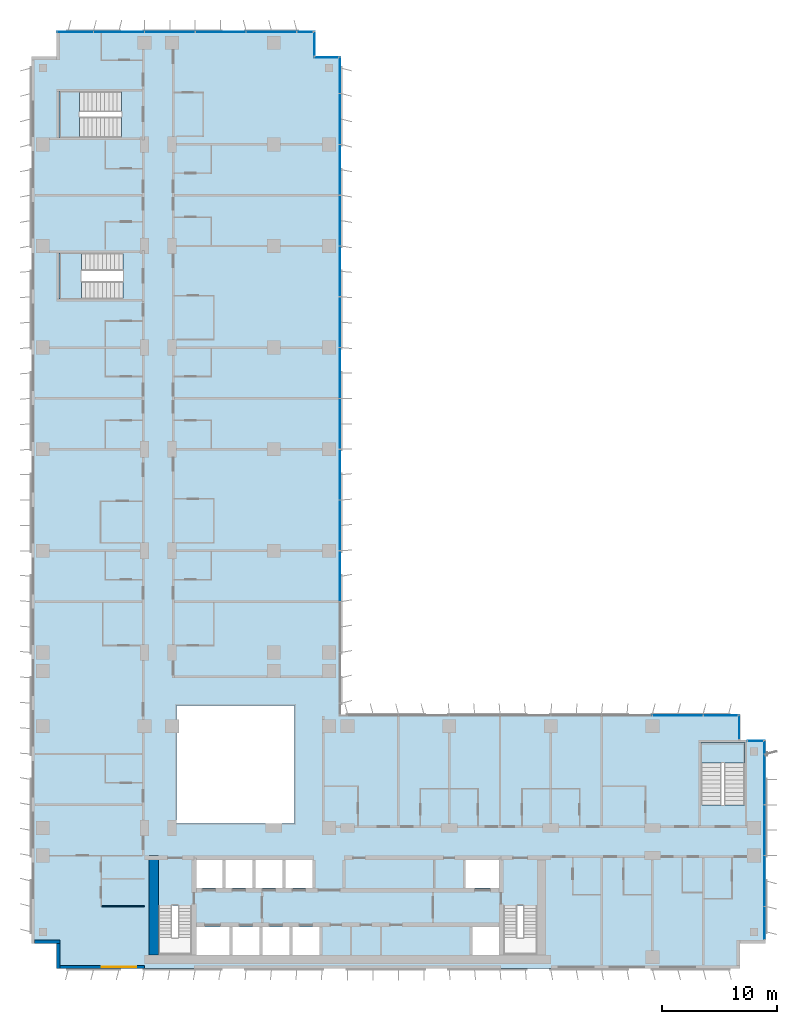
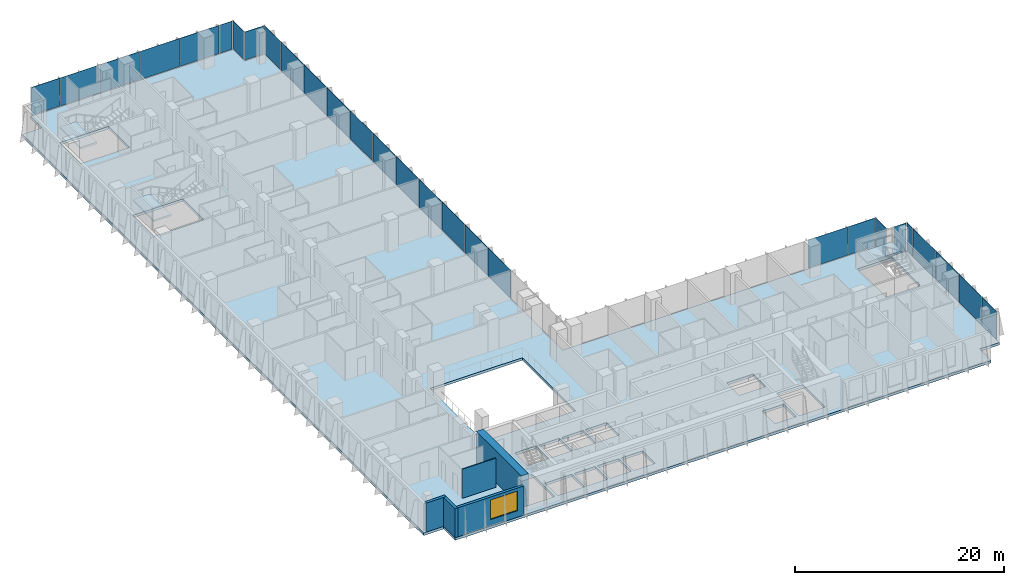
# One storey, part 11 of 23: 28 plates, 5 walls, 4 slabs, 1 window, 1 opening, 11 elements without a shape of their own.
"""IFC4 building model written with IfcOpenShell, lengths in metres."""

from ifc_helpers import new_model, si_unit, direction, frame, frame_2d, origin, origin_2d, place, context, subcontext, project, spatial, polyline, rectangle, outline, extrude, source, transform, mapped, material, layer, layer_set, type_object, element, fill, aggregate, save


model = new_model("IFC4")

# Units and contexts
model_context = context("Model", 3, precision=1e-05, world=origin(), true_north=direction((0.0, 1.0)))
body_context = subcontext(model_context, "Body", "Model", "MODEL_VIEW")
ifc_project = project(units=[si_unit("LENGTHUNIT", "METRE"), si_unit("AREAUNIT", "SQUARE_METRE"), si_unit("VOLUMEUNIT", "CUBIC_METRE"), si_unit("PLANEANGLEUNIT", "RADIAN"), si_unit("MASSUNIT", "GRAM", prefix="KILO")], contexts=[model_context])

# Site, building, storey
site_placement = place(None, origin())
site = spatial("IfcSite", under=ifc_project, at=site_placement, CompositionType="ELEMENT")
building_placement = place(site_placement, origin())
building = spatial("IfcBuilding", under=site, at=building_placement, Name="Kemantara Hotel Tower", CompositionType="ELEMENT")
storey_placement = place(building_placement, frame((0.0, 0.0, 114.800048828125)))
storey = spatial("IfcBuildingStorey", under=building, at=storey_placement, Name="L27", CompositionType="ELEMENT", Elevation=114.800048828125)

# Slab
ifc_material_1 = material(Name="Concrete fc 40 MPa", Category="concrete")
ifc_layer_1 = layer(ifc_material_1, 0.300048828125)
ifc_layer_set_1 = layer_set([ifc_layer_1], Name="Concrete fc 40 MPa")
slab_type_1 = type_object("IfcSlabType", Name="POST-TENSIONED FLAT PLATE 300", PredefinedType="FLOOR", material=ifc_layer_set_1)
slab_1_placement = place(storey_placement, frame((0.0, 0.0, -0.300048828125)))
element("IfcSlab", 1, at=slab_1_placement, inside=storey, type_object=slab_type_1, Name="FLOOR SLAB L27", PredefinedType="FLOOR", context=body_context, shape_type="SweptSolid", body=[
    extrude(outline(polyline([(26.800048828125, 79.0), (24.60009765625, 79.0), (24.60009765625, 81.199951171875), (2.199951171875, 81.199951171875), (2.199951171875, 79.0), (0.0, 79.0), (0.0, 2.199951171875), (2.199951171875, 2.199951171875), (2.199951171875, 0.0), (61.39990234375, 0.0), (61.39990234375, 2.199951171875), (63.60009765625, 2.199951171875), (63.60009765625, 19.800048828125), (61.39990234375, 19.800048828125), (61.39990234375, 22.0), (26.800048828125, 22.0), (26.800048828125, 79.0)]), holes=[polyline([(17.175048828125, 1.199951171875), (14.22509765625, 1.199951171875), (14.22509765625, 3.60009765625), (17.175048828125, 3.60009765625), (17.175048828125, 1.199951171875)]), polyline([(19.77490234375, 1.199951171875), (17.425048828125, 1.199951171875), (17.425048828125, 3.60009765625), (19.77490234375, 3.60009765625), (19.77490234375, 1.199951171875)]), polyline([(11.0, 1.199951171875), (11.0, 5.49951171875), (13.89990234375, 5.49951171875), (13.89990234375, 1.199951171875), (11.0, 1.199951171875)]), polyline([(16.574951171875, 7.0), (14.22509765625, 7.0), (14.22509765625, 9.39990234375), (16.574951171875, 9.39990234375), (16.574951171875, 7.0)]), polyline([(19.175048828125, 7.0), (16.824951171875, 7.0), (16.824951171875, 9.39990234375), (19.175048828125, 9.39990234375), (19.175048828125, 7.0)]), polyline([(22.800048828125, 12.60009765625), (12.60009765625, 12.60009765625), (12.60009765625, 22.800048828125), (22.800048828125, 22.800048828125), (22.800048828125, 12.60009765625)]), polyline([(2.39990234375, 62.0), (7.949462890625, 62.0), (7.949462890625, 58.0), (2.39990234375, 58.0), (2.39990234375, 62.0)]), polyline([(2.39990234375, 76.0), (7.79931640625, 76.0), (7.79931640625, 72.0), (2.39990234375, 72.0), (2.39990234375, 76.0)]), polyline([(22.375, 1.199951171875), (20.02490234375, 1.199951171875), (20.02490234375, 3.60009765625), (22.375, 3.60009765625), (22.375, 1.199951171875)]), polyline([(24.97509765625, 1.199951171875), (22.625, 1.199951171875), (22.625, 3.60009765625), (24.97509765625, 3.60009765625), (24.97509765625, 1.199951171875)]), polyline([(40.574951171875, 1.199951171875), (38.22509765625, 1.199951171875), (38.22509765625, 3.60009765625), (40.574951171875, 3.60009765625), (40.574951171875, 1.199951171875)]), polyline([(40.89990234375, 1.199951171875), (40.89990234375, 5.49951171875), (43.800048828125, 5.49951171875), (43.800048828125, 1.199951171875), (40.89990234375, 1.199951171875)]), polyline([(21.77490234375, 7.0), (19.425048828125, 7.0), (19.425048828125, 9.39990234375), (21.77490234375, 9.39990234375), (21.77490234375, 7.0)]), polyline([(24.375, 7.0), (22.02490234375, 7.0), (22.02490234375, 9.39990234375), (24.375, 9.39990234375), (24.375, 7.0)]), polyline([(40.574951171875, 7.0), (37.625, 7.0), (37.625, 9.39990234375), (40.574951171875, 9.39990234375), (40.574951171875, 7.0)]), polyline([(61.800048828125, 19.60009765625), (61.800048828125, 14.20068359375), (58.0, 14.20068359375), (58.0, 19.60009765625), (61.800048828125, 19.60009765625)])]), origin(), (0.0, 0.0, 1.0), 0.300048828125),
])

# Stair, slab
stair_type_1 = type_object("IfcStairType", Name="Stair 1800 wide 22 risers of 168 x 360 mm", PredefinedType="HALF_TURN_STAIR", material=ifc_material_1)
stair_1_placement = place(storey_placement, origin())
stair_1 = element("IfcStair", 2, at=stair_1_placement, inside=storey, type_object=stair_type_1, Name="L27 Exit stair ST3", PredefinedType="HALF_TURN_STAIR")
ifc_layer_2 = layer(ifc_material_1, 0.199951171875)
ifc_layer_set_2 = layer_set([ifc_layer_2], Name="Concrete fc 40 MPa")
slab_type_2 = type_object("IfcSlabType", Name="Stair landing 200 mm", PredefinedType="LANDING", material=ifc_layer_set_2)
slab_2_placement = place(storey_placement, frame((0.0, 0.0, 1.64990234375)))
slab_2 = element("IfcSlab", 3, at=slab_2_placement, type_object=slab_type_2, Name="ST3 landing 1", PredefinedType="LANDING", context=body_context, shape_type="SweptSolid", body=[
    extrude(outline(polyline([(61.800048828125, 17.800048828125), (61.800048828125, 19.60009765625), (58.0, 19.60009765625), (58.0, 17.800048828125), (61.800048828125, 17.800048828125)])), origin(), (0.0, 0.0, 1.0), 0.199951171875),
])
aggregate(stair_1, [slab_2])

stair_type_2 = type_object("IfcStairType", Name="Stair 1550 wide 22 risers of 168 x 360 mm", PredefinedType="HALF_TURN_STAIR", material=ifc_material_1)
stair_2_placement = place(storey_placement, origin())
stair_2 = element("IfcStair", 4, at=stair_2_placement, inside=storey, type_object=stair_type_2, Name="L27 Exit stair ST4", PredefinedType="HALF_TURN_STAIR")
slab_3_placement = place(storey_placement, frame((0.0, 0.0, 1.64990234375)))
slab_3 = element("IfcSlab", 5, at=slab_3_placement, type_object=slab_type_2, Name="ST4 landing 1", PredefinedType="LANDING", context=body_context, shape_type="SweptSolid", body=[
    extrude(outline(polyline([(4.35009765625, 62.0), (2.39990234375, 62.0), (2.39990234375, 58.0), (4.35009765625, 58.0), (4.35009765625, 62.0)])), origin(), (0.0, 0.0, 1.0), 0.199951171875),
])
aggregate(stair_2, [slab_3])

stair_3_placement = place(storey_placement, origin())
stair_3 = element("IfcStair", 6, at=stair_3_placement, inside=storey, type_object=stair_type_1, Name="L27 Exit stair ST6", PredefinedType="HALF_TURN_STAIR")
slab_4_placement = place(storey_placement, frame((0.0, 0.0, 1.64990234375)))
slab_4 = element("IfcSlab", 7, at=slab_4_placement, type_object=slab_type_2, Name="ST6 landing 1", PredefinedType="LANDING", context=body_context, shape_type="SweptSolid", body=[
    extrude(outline(polyline([(4.199951171875, 76.0), (2.39990234375, 76.0), (2.39990234375, 72.0), (4.199951171875, 72.0), (4.199951171875, 76.0)])), origin(), (0.0, 0.0, 1.0), 0.199951171875),
])
aggregate(stair_3, [slab_4])

# Curtain wall, plate
ifc_material_2 = material(Name="Low-E tinted double insulated glass 36 mm", Category="glass")
curtain_wall_type = type_object("IfcCurtainWallType", Name="TOWER CURTAIN WALL, FRONT FACES", PredefinedType="USERDEFINED", material=ifc_material_2)
curtain_wall_1_placement = place(storey_placement, origin())
curtain_wall_1 = element("IfcCurtainWall", 8, at=curtain_wall_1_placement, inside=storey, type_object=curtain_wall_type, Name="CW4 L27 T2-R10-1", ObjectType="TOWER CURTAIN WALL, FRONT FACES", PredefinedType="USERDEFINED")
ifc_layer_3 = layer(ifc_material_2, 0.035888671875)
ifc_layer_set_3 = layer_set([ifc_layer_3], Name="Low-E tinted double insulated glass 36 mm")
plate_type = type_object("IfcPlateType", Name="TOWER CURTAIN WALL, FRONT FACES PANEL", PredefinedType="CURTAIN_PANEL", material=ifc_layer_set_3)
shared_shape_1 = source(origin(), body_context, "Body", "SweptSolid", [
    extrude(rectangle(XDim=2.81005859375, YDim=0.035888671875, at=origin_2d()), origin(), (0.0, 0.0, 1.0), 3.280029296875),
])
plate_1_placement = place(storey_placement, frame((63.52490234375, 3.965087890625, 0.1201171875), z_axis=(0.0, 0.0, 1.0), x_axis=(0.0, 1.0, 0.0)))
plate_1 = element("IfcPlate", 9, at=plate_1_placement, type_object=plate_type, Name="CW4 glass panel T2-R10-1.1", PredefinedType="CURTAIN_PANEL", context=body_context, shape_type="MappedRepresentation", body=[
    mapped(shared_shape_1, transform((0.0, 0.0, 0.0))),
])

# Curtain wall, plates
curtain_wall_2_placement = place(storey_placement, origin())
curtain_wall_2 = element("IfcCurtainWall", 10, at=curtain_wall_2_placement, inside=storey, type_object=curtain_wall_type, Name="CW4 L27 T2-R01-1", ObjectType="TOWER CURTAIN WALL, FRONT FACES", PredefinedType="USERDEFINED")
shared_shape_2 = source(origin(), body_context, "Body", "SweptSolid", [
    extrude(rectangle(XDim=4.340087890625, YDim=0.035888671875, at=origin_2d()), origin(), (0.0, 0.0, 1.0), 3.280029296875),
])
plate_2_placement = place(storey_placement, frame((20.800048828125, 81.125, 0.1201171875), z_axis=(0.0, 0.0, 1.0), x_axis=(-1.0, 0.0, 0.0)))
plate_2 = element("IfcPlate", 11, at=plate_2_placement, type_object=plate_type, Name="CW4 glass panel T2-R01-1.2", PredefinedType="CURTAIN_PANEL", context=body_context, shape_type="MappedRepresentation", body=[
    mapped(shared_shape_2, transform((0.0, 0.0, 0.0))),
])
plate_3_placement = place(storey_placement, frame((16.39990234375, 81.125, 0.1201171875), z_axis=(0.0, 0.0, 1.0), x_axis=(-1.0, 0.0, 0.0)))
plate_3 = element("IfcPlate", 12, at=plate_3_placement, type_object=plate_type, Name="CW4 glass panel T2-R01-1.3", PredefinedType="CURTAIN_PANEL", context=body_context, shape_type="MappedRepresentation", body=[
    mapped(shared_shape_2, transform((0.0, 0.0, 0.0))),
])
plate_4_placement = place(storey_placement, frame((12.0, 81.125, 0.1201171875), z_axis=(0.0, 0.0, 1.0), x_axis=(-1.0, 0.0, 0.0)))
plate_4 = element("IfcPlate", 13, at=plate_4_placement, type_object=plate_type, Name="CW4 glass panel T2-R01-1.4", PredefinedType="CURTAIN_PANEL", context=body_context, shape_type="MappedRepresentation", body=[
    mapped(shared_shape_2, transform((0.0, 0.0, 0.0))),
])
plate_5_placement = place(storey_placement, frame((7.60009765625, 81.125, 0.1201171875), z_axis=(0.0, 0.0, 1.0), x_axis=(-1.0, 0.0, 0.0)))
plate_5 = element("IfcPlate", 14, at=plate_5_placement, type_object=plate_type, Name="CW4 glass panel T2-R01-1.5", PredefinedType="CURTAIN_PANEL", context=body_context, shape_type="MappedRepresentation", body=[
    mapped(shared_shape_2, transform((0.0, 0.0, 0.0))),
])

# Plate
plate_6_placement = place(storey_placement, frame((63.52490234375, 7.60009765625, 0.1201171875), z_axis=(0.0, 0.0, 1.0), x_axis=(0.0, 1.0, 0.0)))
plate_6 = element("IfcPlate", 15, at=plate_6_placement, type_object=plate_type, Name="CW4 glass panel T2-R10-1.2", PredefinedType="CURTAIN_PANEL", context=body_context, shape_type="MappedRepresentation", body=[
    mapped(shared_shape_2, transform((0.0, 0.0, 0.0))),
])

plate_7_placement = place(storey_placement, frame((63.52490234375, 12.0, 0.1201171875), z_axis=(0.0, 0.0, 1.0), x_axis=(0.0, 1.0, 0.0)))
plate_7 = element("IfcPlate", 16, at=plate_7_placement, type_object=plate_type, Name="CW4 glass panel T2-R10-1.3", PredefinedType="CURTAIN_PANEL", context=body_context, shape_type="MappedRepresentation", body=[
    mapped(shared_shape_2, transform((0.0, 0.0, 0.0))),
])

plate_8_placement = place(storey_placement, frame((63.52490234375, 16.39990234375, 0.1201171875), z_axis=(0.0, 0.0, 1.0), x_axis=(0.0, 1.0, 0.0)))
plate_8 = element("IfcPlate", 17, at=plate_8_placement, type_object=plate_type, Name="CW4 glass panel T2-R10-1.4", PredefinedType="CURTAIN_PANEL", context=body_context, shape_type="MappedRepresentation", body=[
    mapped(shared_shape_2, transform((0.0, 0.0, 0.0))),
])

# Curtain wall, plate
curtain_wall_3_placement = place(storey_placement, origin())
curtain_wall_3 = element("IfcCurtainWall", 18, at=curtain_wall_3_placement, inside=storey, type_object=curtain_wall_type, Name="CW4 L27 T2-R13-1", ObjectType="TOWER CURTAIN WALL, FRONT FACES", PredefinedType="USERDEFINED")
plate_9_placement = place(storey_placement, frame((56.0, 21.925048828125, 0.1201171875), z_axis=(0.0, 0.0, 1.0), x_axis=(-1.0, 0.0, 0.0)))
plate_9 = element("IfcPlate", 19, at=plate_9_placement, type_object=plate_type, Name="CW4 glass panel T2-R13-1.2", PredefinedType="CURTAIN_PANEL", context=body_context, shape_type="MappedRepresentation", body=[
    mapped(shared_shape_2, transform((0.0, 0.0, 0.0))),
])

# Curtain wall, plates
curtain_wall_4_placement = place(storey_placement, origin())
curtain_wall_4 = element("IfcCurtainWall", 20, at=curtain_wall_4_placement, inside=storey, type_object=curtain_wall_type, Name="CW4 L27 T2-R14-1", ObjectType="TOWER CURTAIN WALL, FRONT FACES", PredefinedType="USERDEFINED")
plate_10_placement = place(storey_placement, frame((26.72509765625, 34.0, 0.1201171875), z_axis=(0.0, 0.0, 1.0), x_axis=(0.0, 1.0, 0.0)))
plate_10 = element("IfcPlate", 21, at=plate_10_placement, type_object=plate_type, Name="CW4 glass panel T2-R14-1.4", PredefinedType="CURTAIN_PANEL", context=body_context, shape_type="MappedRepresentation", body=[
    mapped(shared_shape_2, transform((0.0, 0.0, 0.0))),
])
plate_11_placement = place(storey_placement, frame((26.72509765625, 38.39990234375, 0.1201171875), z_axis=(0.0, 0.0, 1.0), x_axis=(0.0, 1.0, 0.0)))
plate_11 = element("IfcPlate", 22, at=plate_11_placement, type_object=plate_type, Name="CW4 glass panel T2-R14-1.5", PredefinedType="CURTAIN_PANEL", context=body_context, shape_type="MappedRepresentation", body=[
    mapped(shared_shape_2, transform((0.0, 0.0, 0.0))),
])
plate_12_placement = place(storey_placement, frame((26.72509765625, 42.800048828125, 0.1201171875), z_axis=(0.0, 0.0, 1.0), x_axis=(0.0, 1.0, 0.0)))
plate_12 = element("IfcPlate", 23, at=plate_12_placement, type_object=plate_type, Name="CW4 glass panel T2-R14-1.6", PredefinedType="CURTAIN_PANEL", context=body_context, shape_type="MappedRepresentation", body=[
    mapped(shared_shape_2, transform((0.0, 0.0, 0.0))),
])
plate_13_placement = place(storey_placement, frame((26.72509765625, 47.199951171875, 0.1201171875), z_axis=(0.0, 0.0, 1.0), x_axis=(0.0, 1.0, 0.0)))
plate_13 = element("IfcPlate", 24, at=plate_13_placement, type_object=plate_type, Name="CW4 glass panel T2-R14-1.7", PredefinedType="CURTAIN_PANEL", context=body_context, shape_type="MappedRepresentation", body=[
    mapped(shared_shape_2, transform((0.0, 0.0, 0.0))),
])
plate_14_placement = place(storey_placement, frame((26.72509765625, 51.60009765625, 0.1201171875), z_axis=(0.0, 0.0, 1.0), x_axis=(0.0, 1.0, 0.0)))
plate_14 = element("IfcPlate", 25, at=plate_14_placement, type_object=plate_type, Name="CW4 glass panel T2-R14-1.8", PredefinedType="CURTAIN_PANEL", context=body_context, shape_type="MappedRepresentation", body=[
    mapped(shared_shape_2, transform((0.0, 0.0, 0.0))),
])
plate_15_placement = place(storey_placement, frame((26.72509765625, 56.0, 0.1201171875), z_axis=(0.0, 0.0, 1.0), x_axis=(0.0, 1.0, 0.0)))
plate_15 = element("IfcPlate", 26, at=plate_15_placement, type_object=plate_type, Name="CW4 glass panel T2-R14-1.9", PredefinedType="CURTAIN_PANEL", context=body_context, shape_type="MappedRepresentation", body=[
    mapped(shared_shape_2, transform((0.0, 0.0, 0.0))),
])
plate_16_placement = place(storey_placement, frame((26.72509765625, 60.39990234375, 0.1201171875), z_axis=(0.0, 0.0, 1.0), x_axis=(0.0, 1.0, 0.0)))
plate_16 = element("IfcPlate", 27, at=plate_16_placement, type_object=plate_type, Name="CW4 glass panel T2-R14-1.10", PredefinedType="CURTAIN_PANEL", context=body_context, shape_type="MappedRepresentation", body=[
    mapped(shared_shape_2, transform((0.0, 0.0, 0.0))),
])
plate_17_placement = place(storey_placement, frame((26.72509765625, 64.800048828125, 0.1201171875), z_axis=(0.0, 0.0, 1.0), x_axis=(0.0, 1.0, 0.0)))
plate_17 = element("IfcPlate", 28, at=plate_17_placement, type_object=plate_type, Name="CW4 glass panel T2-R14-1.11", PredefinedType="CURTAIN_PANEL", context=body_context, shape_type="MappedRepresentation", body=[
    mapped(shared_shape_2, transform((0.0, 0.0, 0.0))),
])
plate_18_placement = place(storey_placement, frame((26.72509765625, 69.199951171875, 0.1201171875), z_axis=(0.0, 0.0, 1.0), x_axis=(0.0, 1.0, 0.0)))
plate_18 = element("IfcPlate", 29, at=plate_18_placement, type_object=plate_type, Name="CW4 glass panel T2-R14-1.12", PredefinedType="CURTAIN_PANEL", context=body_context, shape_type="MappedRepresentation", body=[
    mapped(shared_shape_2, transform((0.0, 0.0, 0.0))),
])
plate_19_placement = place(storey_placement, frame((26.72509765625, 73.60009765625, 0.1201171875), z_axis=(0.0, 0.0, 1.0), x_axis=(0.0, 1.0, 0.0)))
plate_19 = element("IfcPlate", 30, at=plate_19_placement, type_object=plate_type, Name="CW4 glass panel T2-R14-1.13", PredefinedType="CURTAIN_PANEL", context=body_context, shape_type="MappedRepresentation", body=[
    mapped(shared_shape_2, transform((0.0, 0.0, 0.0))),
])

# Plate
shared_shape_3 = source(origin(), body_context, "Body", "SweptSolid", [
    extrude(rectangle(XDim=1.360107421875, YDim=0.035888671875, at=origin_2d()), origin(), (0.0, 0.0, 1.0), 3.280029296875),
])
plate_20_placement = place(storey_placement, frame((23.7099609375, 81.125, 0.1201171875), z_axis=(0.0, 0.0, 1.0), x_axis=(-1.0, 0.0, 0.0)))
plate_20 = element("IfcPlate", 31, at=plate_20_placement, type_object=plate_type, Name="CW4 glass panel T2-R01-1.1", PredefinedType="CURTAIN_PANEL", context=body_context, shape_type="MappedRepresentation", body=[
    mapped(shared_shape_3, transform((0.0, 0.0, 0.0))),
])

shared_shape_4 = source(origin(), body_context, "Body", "SweptSolid", [
    extrude(rectangle(XDim=3.110107421875, YDim=0.035888671875, at=origin_2d()), origin(), (0.0, 0.0, 1.0), 3.280029296875),
])
plate_21_placement = place(storey_placement, frame((3.81494140625, 81.125, 0.1201171875), z_axis=(0.0, 0.0, 1.0), x_axis=(-1.0, 0.0, 0.0)))
plate_21 = element("IfcPlate", 32, at=plate_21_placement, type_object=plate_type, Name="CW4 glass panel T2-R01-1.6", PredefinedType="CURTAIN_PANEL", context=body_context, shape_type="MappedRepresentation", body=[
    mapped(shared_shape_4, transform((0.0, 0.0, 0.0))),
])

aggregate(curtain_wall_2, [plate_20, plate_2, plate_3, plate_4, plate_5, plate_21])

plate_22_placement = place(storey_placement, frame((26.72509765625, 77.385009765625, 0.1201171875), z_axis=(0.0, 0.0, 1.0), x_axis=(0.0, 1.0, 0.0)))
plate_22 = element("IfcPlate", 33, at=plate_22_placement, type_object=plate_type, Name="CW4 glass panel T2-R14-1.14", PredefinedType="CURTAIN_PANEL", context=body_context, shape_type="MappedRepresentation", body=[
    mapped(shared_shape_4, transform((0.0, 0.0, 0.0))),
])

aggregate(curtain_wall_4, [plate_10, plate_11, plate_12, plate_13, plate_14, plate_15, plate_16, plate_17, plate_18, plate_19, plate_22])

# Curtain wall, plate
curtain_wall_5_placement = place(storey_placement, origin())
curtain_wall_5 = element("IfcCurtainWall", 34, at=curtain_wall_5_placement, inside=storey, type_object=curtain_wall_type, Name="CW4 L27 T2-R00-1", ObjectType="TOWER CURTAIN WALL, FRONT FACES", PredefinedType="USERDEFINED")
shared_shape_5 = source(origin(), body_context, "Body", "SweptSolid", [
    extrude(rectangle(XDim=2.080078125, YDim=0.035888671875, at=origin_2d()), origin(), (0.0, 0.0, 1.0), 3.280029296875),
])
plate_23_placement = place(storey_placement, frame((24.52490234375, 80.10009765625, 0.1201171875), z_axis=(0.0, 0.0, 1.0), x_axis=(0.0, 1.0, 0.0)))
plate_23 = element("IfcPlate", 35, at=plate_23_placement, type_object=plate_type, Name="CW4 glass panel T2-R00-1.1", PredefinedType="CURTAIN_PANEL", context=body_context, shape_type="MappedRepresentation", body=[
    mapped(shared_shape_5, transform((0.0, 0.0, 0.0))),
])
aggregate(curtain_wall_5, [plate_23])

curtain_wall_6_placement = place(storey_placement, origin())
curtain_wall_6 = element("IfcCurtainWall", 36, at=curtain_wall_6_placement, inside=storey, type_object=curtain_wall_type, Name="CW4 L27 T2-R12-1", ObjectType="TOWER CURTAIN WALL, FRONT FACES", PredefinedType="USERDEFINED")
plate_24_placement = place(storey_placement, frame((61.324951171875, 20.89990234375, 0.1201171875), z_axis=(0.0, 0.0, 1.0), x_axis=(0.0, 1.0, 0.0)))
plate_24 = element("IfcPlate", 37, at=plate_24_placement, type_object=plate_type, Name="CW4 glass panel T2-R12-1.1", PredefinedType="CURTAIN_PANEL", context=body_context, shape_type="MappedRepresentation", body=[
    mapped(shared_shape_5, transform((0.0, 0.0, 0.0))),
])
aggregate(curtain_wall_6, [plate_24])

curtain_wall_7_placement = place(storey_placement, origin())
curtain_wall_7 = element("IfcCurtainWall", 38, at=curtain_wall_7_placement, inside=storey, type_object=curtain_wall_type, Name="CW4 L27 T2-R15-1", ObjectType="TOWER CURTAIN WALL, FRONT FACES", PredefinedType="USERDEFINED")
plate_25_placement = place(storey_placement, frame((25.550048828125, 78.925048828125, 0.1201171875), z_axis=(0.0, 0.0, 1.0), x_axis=(-1.0, 0.0, 0.0)))
plate_25 = element("IfcPlate", 39, at=plate_25_placement, type_object=plate_type, Name="CW4 glass panel T2-R15-1.1", PredefinedType="CURTAIN_PANEL", context=body_context, shape_type="MappedRepresentation", body=[
    mapped(shared_shape_5, transform((0.0, 0.0, 0.0))),
])
aggregate(curtain_wall_7, [plate_25])

# Plate
shared_shape_6 = source(origin(), body_context, "Body", "SweptSolid", [
    extrude(rectangle(XDim=2.9599609375, YDim=0.035888671875, at=origin_2d()), origin(), (0.0, 0.0, 1.0), 3.280029296875),
])
plate_26_placement = place(storey_placement, frame((59.7099609375, 21.925048828125, 0.1201171875), z_axis=(0.0, 0.0, 1.0), x_axis=(-1.0, 0.0, 0.0)))
plate_26 = element("IfcPlate", 40, at=plate_26_placement, type_object=plate_type, Name="CW4 glass panel T2-R13-1.1", PredefinedType="CURTAIN_PANEL", context=body_context, shape_type="MappedRepresentation", body=[
    mapped(shared_shape_6, transform((0.0, 0.0, 0.0))),
])

aggregate(curtain_wall_3, [plate_26, plate_9])

shared_shape_7 = source(origin(), body_context, "Body", "SweptSolid", [
    extrude(rectangle(XDim=1.110107421875, YDim=0.035888671875, at=origin_2d()), origin(), (0.0, 0.0, 1.0), 3.280029296875),
])
plate_27_placement = place(storey_placement, frame((63.52490234375, 19.18505859375, 0.1201171875), z_axis=(0.0, 0.0, 1.0), x_axis=(0.0, 1.0, 0.0)))
plate_27 = element("IfcPlate", 41, at=plate_27_placement, type_object=plate_type, Name="CW4 glass panel T2-R10-1.5", PredefinedType="CURTAIN_PANEL", context=body_context, shape_type="MappedRepresentation", body=[
    mapped(shared_shape_7, transform((0.0, 0.0, 0.0))),
])

aggregate(curtain_wall_1, [plate_1, plate_6, plate_7, plate_8, plate_27])

# Curtain wall, plate
curtain_wall_8_placement = place(storey_placement, origin())
curtain_wall_8 = element("IfcCurtainWall", 42, at=curtain_wall_8_placement, inside=storey, type_object=curtain_wall_type, Name="CW4 L27 T2-R11-1", ObjectType="TOWER CURTAIN WALL, FRONT FACES", PredefinedType="USERDEFINED")
shared_shape_8 = source(origin(), body_context, "Body", "SweptSolid", [
    extrude(rectangle(XDim=1.330078125, YDim=0.035888671875, at=origin_2d()), origin(), (0.0, 0.0, 1.0), 3.280029296875),
])
plate_28_placement = place(storey_placement, frame((62.72509765625, 19.72509765625, 0.1201171875), z_axis=(0.0, 0.0, 1.0), x_axis=(-1.0, 0.0, 0.0)))
plate_28 = element("IfcPlate", 43, at=plate_28_placement, type_object=plate_type, Name="CW4 glass panel T2-R11-1.1", PredefinedType="CURTAIN_PANEL", context=body_context, shape_type="MappedRepresentation", body=[
    mapped(shared_shape_8, transform((0.0, 0.0, 0.0))),
])
aggregate(curtain_wall_8, [plate_28])

# Walls
ifc_material_3 = material(Name="Bronze anodised aluminium cladding on insulated steel stud wall", Category="steel")
ifc_layer_4 = layer(ifc_material_3, 0.300048828125)
ifc_layer_set_4 = layer_set([ifc_layer_4], Name="Bronze anodised aluminium cladding on insulated steel stud wall")
wall_type_1 = type_object("IfcWallType", Name="BRONZE METAL-CLAD EXTERNAL WALL 300", PredefinedType="STANDARD", material=ifc_layer_set_4)
for number, where, z_axis, x_axis, name in (
    (44, (0.300048828125, 2.35009765625, 0.0), (0.0, 0.0, 1.0), (1.0, 0.0, 0.0), "EXTERNAL WALL L27 T2-R05"),
    (45, (2.35009765625, 2.199951171875, 0.0), (0.0, 0.0, 1.0), (0.0, -1.0, 0.0), "EXTERNAL WALL L27 T2-R06"),
):
    element("IfcWall", number, at=place(storey_placement, frame(where, z_axis=z_axis, x_axis=x_axis)), inside=storey, type_object=wall_type_1, Name=name, PredefinedType="STANDARD", context=body_context, shape_type="SweptSolid", body=[
        extrude(rectangle(XDim=2.199951171875, YDim=0.300048828125, at=frame_2d((1.10009765625, 0.0))), origin(), (0.0, 0.0, 1.0), 3.39990234375),
    ])

# Wall, opening, window
wall_1_placement = place(storey_placement, frame((2.5, 0.14990234375, 0.0), z_axis=(0.0, 0.0, 1.0), x_axis=(1.0, 0.0, 0.0)))
wall_1 = element("IfcWall", 46, at=wall_1_placement, inside=storey, type_object=wall_type_1, Name="EXTERNAL WALL L27 T2-R07", PredefinedType="STANDARD", context=body_context, shape_type="SweptSolid", body=[
    extrude(rectangle(XDim=7.300048828125, YDim=0.300048828125, at=frame_2d((3.64990234375, 0.0))), origin(), (0.0, 0.0, 1.0), 3.39990234375),
])
opening_placement = place(wall_1_placement, frame((3.60009765625, 0.0, 0.75)))
opening = element("IfcOpeningElement", 47, at=opening_placement, cuts=wall_1, Name="Opening W1", PredefinedType="OPENING", context=body_context, shape_type="SweptSolid", body=[
    extrude(rectangle(XDim=3.0, YDim=2.300048828125, at=frame_2d((1.5, 1.14990234375))), frame((0.0, 0.159912109375, 0.0), z_axis=(0.0, -1.0, 0.0), x_axis=(1.0, 0.0, 0.0)), (0.0, 0.0, 1.0), 0.320068359375),
])
ifc_material_4 = material(Name="Low-E tinted double insulated glass in bronze anodised aluminium frame", Category="aluminium")
window_type = type_object("IfcWindowType", Name="CHICAGO WINDOW, TRIPLE PANEL 3000x2300", PartitioningType="TRIPLE_PANEL_VERTICAL", PredefinedType="WINDOW", material=ifc_material_4)
window_placement = place(opening_placement, origin())
window = element("IfcWindow", 48, at=window_placement, inside=storey, type_object=window_type, Name="CHICAGO WINDOW L27 T2-R07-54", OverallHeight=2.300048828125, OverallWidth=3.0, PartitioningType="SINGLE_PANEL", PredefinedType="WINDOW", context=body_context, shape_type="SweptSolid", body=[
    extrude(rectangle(XDim=3.0, YDim=2.300048828125, at=frame_2d((1.5, 1.14990234375))), frame((0.0, 0.030029296875, 0.0), z_axis=(0.0, -1.0, 0.0), x_axis=(1.0, 0.0, 0.0)), (0.0, 0.0, 1.0), 0.06005859375),
])
fill(opening, window)

# Walls
ifc_material_5 = material(Name="Concrete fc 70 MPa", Category="concrete")
ifc_layer_5 = layer(ifc_material_5, 0.800048828125)
ifc_layer_set_5 = layer_set([ifc_layer_5], Name="Concrete fc 70 MPa")
wall_type_2 = type_object("IfcWallType", Name="CORE WALL 800 FC70", PredefinedType="SHEAR", material=ifc_layer_set_5)
wall_2_placement = place(storey_placement, frame((10.60009765625, 1.199951171875, 0.0), z_axis=(0.0, 0.0, 1.0), x_axis=(0.0, 1.0, 0.0)))
element("IfcWall", 49, at=wall_2_placement, inside=storey, type_object=wall_type_2, Name="CORE WALL CW-W", PredefinedType="SHEAR", context=body_context, shape_type="SweptSolid", body=[
    extrude(rectangle(XDim=8.60009765625, YDim=0.800048828125, at=frame_2d((4.300048828125, 0.0))), origin(), (0.0, 0.0, 1.0), 3.699951171875),
])
ifc_material_6 = material(Name="Gypsum board partition on steel studs, 100 mm", Category="steel")
ifc_layer_6 = layer(ifc_material_6, 0.10009765625)
ifc_layer_set_6 = layer_set([ifc_layer_6], Name="Gypsum board partition on steel studs, 100 mm")
wall_type_3 = type_object("IfcWallType", Name="ROOM PARTITION 100", PredefinedType="PARTITIONING", material=ifc_layer_set_6)
wall_3_placement = place(storey_placement, frame((6.10009765625, 5.39990234375, 0.0), z_axis=(0.0, 0.0, 1.0), x_axis=(1.0, 0.0, 0.0)))
element("IfcWall", 50, at=wall_3_placement, inside=storey, type_object=wall_type_3, Name="ROOM PARTITION 100 080", PredefinedType="PARTITIONING", context=body_context, shape_type="SweptSolid", body=[
    extrude(rectangle(XDim=3.69970703125, YDim=0.10009765625, at=frame_2d((1.849853515625, 0.0))), origin(), (0.0, 0.0, 1.0), 3.39990234375),
])

save(model, "model.ifc")
